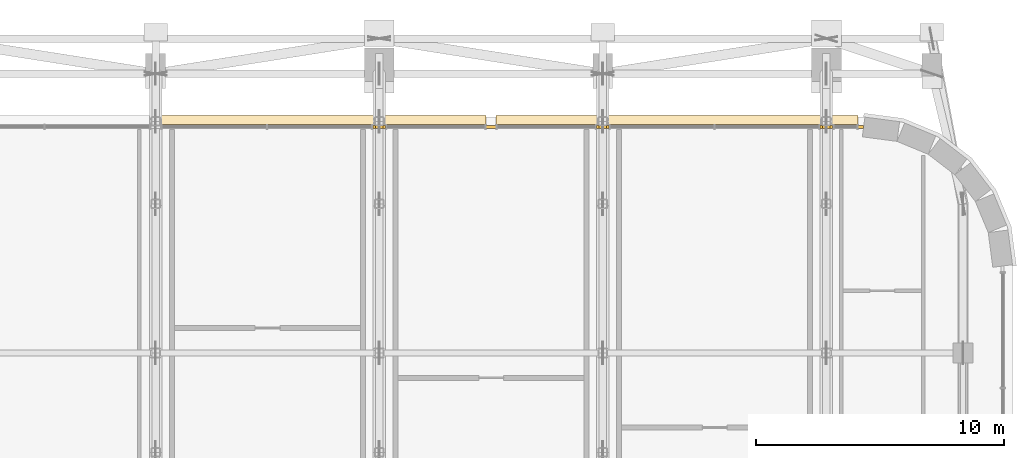
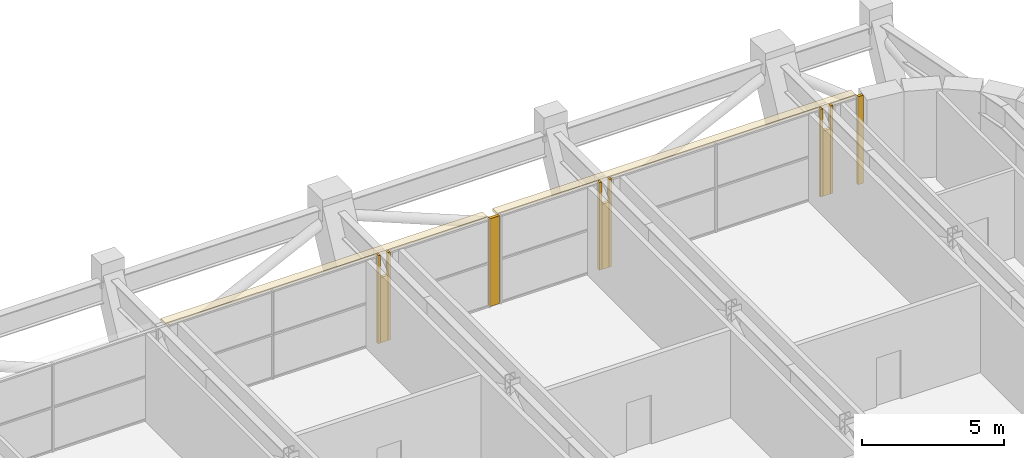
# One storey, part 27 of 28: 13 coverings.
"""IFC4 building model written with IfcOpenShell, lengths in metres."""

import ifcopenshell
import ifcopenshell.guid

model = None  # the IFC model being written
_history = None  # IfcOwnerHistory: only IFC2X3 demands one
_inside = {}  # id of a spatial element -> (the spatial element, [elements in it])
_under = {}  # id of a project, library or spatial element -> (it, [spatial elements below it])
_declared = {}  # id of a project -> (the project, [libraries it declares])
_typed = {}  # id of a type object -> (the type object, [elements of that type])
_made_of = {}  # id of a material, layer set ... -> (it, [elements and type objects made of it])


def new_model(schema):
    """Start an empty IFC model of exactly this schema.

    Asked for "IFC4X3", IfcOpenShell would pick the latest addendum, in which some entities
    have other attributes; the version numbers below select the first issue.
    IFC2X3 requires an IfcOwnerHistory on every rooted entity: one is made here for all.
    """
    global model, _history
    if schema == "IFC4X3":
        model = ifcopenshell.file(schema_version=(4, 3, 0, 0))
    else:
        model = ifcopenshell.file(schema=schema)
    _inside.clear()
    _under.clear()
    _declared.clear()
    _typed.clear()
    _made_of.clear()
    _history = None
    if model.schema == "IFC2X3":
        org = make("IfcOrganization", Name="unknown")
        user = make(
            "IfcPersonAndOrganization",
            ThePerson=make("IfcPerson", FamilyName="unknown"),
            TheOrganization=org,
        )
        app = make(
            "IfcApplication",
            ApplicationDeveloper=org,
            Version="unknown",
            ApplicationFullName="unknown",
            ApplicationIdentifier="unknown",
        )
        _history = make(
            "IfcOwnerHistory",
            OwningUser=user,
            OwningApplication=app,
            ChangeAction="ADDED",
            CreationDate=0,
        )
    return model


def make(cls, **values):
    """One entity of the class cls with the attributes given. An attribute that is None is left unset."""
    return model.create_entity(
        cls, **{name: value for name, value in values.items() if value is not None}
    )


def rooted(cls, **values):
    """An entity with a GlobalId (a new one), such as an element, a storey or a relation."""
    return make(cls, GlobalId=ifcopenshell.guid.new(), OwnerHistory=_history, **values)


def si_unit(unit_type, name, prefix=None):
    """IfcSIUnit, for example si_unit("LENGTHUNIT", "METRE", prefix="MILLI")."""
    return make("IfcSIUnit", UnitType=unit_type, Prefix=prefix, Name=name)


def assignment(units):
    """IfcUnitAssignment: the units of a project."""
    return None if units is None else make("IfcUnitAssignment", Units=units)


def point(xyz):
    """IfcCartesianPoint."""
    return None if xyz is None else make("IfcCartesianPoint", Coordinates=xyz)


def direction(xyz):
    """IfcDirection."""
    return None if xyz is None else make("IfcDirection", DirectionRatios=xyz)


def frame(location, z_axis=None, x_axis=None):
    """IfcAxis2Placement3D, a coordinate frame: its origin and axes. An axis left out is left unset."""
    return make(
        "IfcAxis2Placement3D",
        Location=point(location),
        Axis=direction(z_axis),
        RefDirection=direction(x_axis),
    )


def frame_2d(location, x_axis=None):
    """IfcAxis2Placement2D, a coordinate frame in the plane: its origin and x axis."""
    return make(
        "IfcAxis2Placement2D", Location=point(location), RefDirection=direction(x_axis)
    )


def origin():
    """The frame at (0, 0, 0) with its axes left unset."""
    return frame((0.0, 0.0, 0.0))


def origin_2d():
    """The frame at (0, 0) in the plane with its x axis left unset."""
    return frame_2d((0.0, 0.0))


def place(relative_to, where):
    """IfcLocalPlacement: puts the frame where relative to a parent placement (None: the world)."""
    return make(
        "IfcLocalPlacement", PlacementRelTo=relative_to, RelativePlacement=where
    )


def context(
    kind, dimensions, precision=None, world=None, true_north=None, identifier=None
):
    """IfcGeometricRepresentationContext, for example the 3D "Model" context."""
    return make(
        "IfcGeometricRepresentationContext",
        ContextIdentifier=identifier,
        ContextType=kind,
        CoordinateSpaceDimension=dimensions,
        Precision=precision,
        WorldCoordinateSystem=world,
        TrueNorth=true_north,
    )


def subcontext(parent, identifier, kind, view, scale=None):
    """IfcGeometricRepresentationSubContext, for example "Body" below "Model"."""
    return make(
        "IfcGeometricRepresentationSubContext",
        ContextIdentifier=identifier,
        ContextType=kind,
        ParentContext=parent,
        TargetScale=scale,
        TargetView=view,
    )


def project(units=None, contexts=None):
    """IfcProject with its units and contexts."""
    return rooted(
        "IfcProject",
        Name="project",
        RepresentationContexts=contexts,
        UnitsInContext=assignment(units),
    )


def spatial(cls, under=None, at=None, **own):
    """A site, building, storey or space (cls), placed at a placement, below another one or the project."""
    s = rooted(cls, ObjectPlacement=at, **own)
    if under is not None:
        _under.setdefault(under.id(), (under, []))[1].append(s)
    return s


def polyline(points):
    """IfcPolyline through the points."""
    return make("IfcPolyline", Points=[point(p) for p in points])


def profile(cls, at=None, kind="AREA", **sizes):
    """A parametric profile (cls). Its sizes go by their IFC names, for example OverallWidth=200.0."""
    return make(cls, ProfileType=kind, Position=at, **sizes)


def rectangle(**sizes):
    """IfcRectangleProfileDef."""
    return profile("IfcRectangleProfileDef", **sizes)


def outline(outer, holes=None, kind="AREA"):
    """IfcArbitraryClosedProfileDef: a profile drawn as a closed curve; with holes, ...WithVoids."""
    if holes is None:
        return make("IfcArbitraryClosedProfileDef", ProfileType=kind, OuterCurve=outer)
    return make(
        "IfcArbitraryProfileDefWithVoids",
        ProfileType=kind,
        OuterCurve=outer,
        InnerCurves=holes,
    )


def extrude(swept, where, along, depth):
    """IfcExtrudedAreaSolid: the profile swept, set in the frame where, extruded along a direction by depth."""
    return make(
        "IfcExtrudedAreaSolid",
        SweptArea=swept,
        Position=where,
        ExtrudedDirection=direction(along),
        Depth=depth,
    )


def shape(context_of_items, identifier, shape_type, items):
    """IfcShapeRepresentation: the items that make up one representation, for example the "Body"."""
    return make(
        "IfcShapeRepresentation",
        ContextOfItems=context_of_items,
        RepresentationIdentifier=identifier,
        RepresentationType=shape_type,
        Items=items,
    )


def material(Name=None, Category=None):
    """IfcMaterial."""
    return make("IfcMaterial", Name=Name, Category=Category)


def layer(
    of_material, thickness, ventilated=None, Name=None, Category=None, Priority=None
):
    """IfcMaterialLayer: one layer of a wall or slab, of a material (None: an air gap)."""
    return make(
        "IfcMaterialLayer",
        Material=of_material,
        LayerThickness=thickness,
        IsVentilated=ventilated,
        Name=Name,
        Category=Category,
        Priority=Priority,
    )


def layer_set(layers, Name=None):
    """IfcMaterialLayerSet."""
    return make("IfcMaterialLayerSet", MaterialLayers=layers, LayerSetName=Name)


def made_of(thing, what):
    """Note that an element or type object is made of a material, layer set ...; save() writes the relation."""
    if what is not None:
        _made_of.setdefault(what.id(), (what, []))[1].append(thing)
    return thing


def type_object(cls, material=None, **own):
    """A type object (cls), such as IfcWallType, which elements share."""
    return made_of(rooted(cls, **own), material)


def element(
    cls,
    number,
    at=None,
    inside=None,
    cuts=None,
    type_object=None,
    material=None,
    context=None,
    identifier="Body",
    shape_type=None,
    held_by="IfcProductDefinitionShape",
    body=None,
    shapes=None,
    **own,
):
    """One element of the class cls, such as IfcWall. Its Tag is "e" and its number.

    at: its placement. inside: the storey or other place that contains it. cuts: it is an
    opening in that element (IfcRelVoidsElement). A single representation is given by context,
    identifier, shape_type and body (its items); several are given by shapes. held_by: the class
    of the entity that holds the representations. save() writes the other relations.
    """
    e = rooted(cls, Tag="e%d" % number, ObjectPlacement=at, **own)
    if body is not None:
        shapes = [shape(context, identifier, shape_type, body)]
    if shapes is not None:
        e.Representation = make(held_by, Representations=shapes)
    if inside is not None:
        _inside.setdefault(inside.id(), (inside, []))[1].append(e)
    if cuts is not None:
        rooted(
            "IfcRelVoidsElement", RelatingBuildingElement=cuts, RelatedOpeningElement=e
        )
    if type_object is not None:
        _typed.setdefault(type_object.id(), (type_object, []))[1].append(e)
    return made_of(e, material)


def aggregate(whole, parts):
    """IfcRelAggregates: a whole, such as a stair, and the parts it consists of."""
    return rooted("IfcRelAggregates", RelatingObject=whole, RelatedObjects=parts)


def save(model, path):
    """Write the relations noted so far, then the file.

    IfcRelAggregates (storeys below a building ...), IfcRelContainedInSpatialStructure (elements
    in a storey), IfcRelDefinesByType, IfcRelAssociatesMaterial and IfcRelDeclares: one each for
    every whole, place, type object, material and project.
    """
    for whole, parts in _under.values():
        aggregate(whole, parts)
    for where, things in _inside.values():
        rooted(
            "IfcRelContainedInSpatialStructure",
            RelatedElements=things,
            RelatingStructure=where,
        )
    for kind, things in _typed.values():
        rooted("IfcRelDefinesByType", RelatedObjects=things, RelatingType=kind)
    for what, things in _made_of.values():
        rooted("IfcRelAssociatesMaterial", RelatedObjects=things, RelatingMaterial=what)
    for by, libraries in _declared.values():
        rooted("IfcRelDeclares", RelatingContext=by, RelatedDefinitions=libraries)
    model.write(path)


model = new_model("IFC4")

# Units and contexts
model_context = context("Model", 3, precision=1e-05, world=origin(), true_north=direction((0.0, 1.0)))
body_context = subcontext(model_context, "Body", "Model", "MODEL_VIEW")
ifc_project = project(units=[si_unit("LENGTHUNIT", "METRE"), si_unit("AREAUNIT", "SQUARE_METRE"), si_unit("VOLUMEUNIT", "CUBIC_METRE"), si_unit("PLANEANGLEUNIT", "RADIAN"), si_unit("MASSUNIT", "GRAM", prefix="KILO")], contexts=[model_context])

# Site, building, storey
site_placement = place(None, origin())
site = spatial("IfcSite", under=ifc_project, at=site_placement, CompositionType="ELEMENT")
building_placement = place(site_placement, origin())
building = spatial("IfcBuilding", under=site, at=building_placement, Name="Zellij Exchange Tower", CompositionType="ELEMENT")
storey_placement = place(building_placement, frame((0.0, 0.0, 268.5)))
storey = spatial("IfcBuildingStorey", under=building, at=storey_placement, Name="L63", CompositionType="ELEMENT", Elevation=268.5)

# Coverings
ifc_material_1 = material(Name="Limestone cladding", Category="masonry")
ifc_layer_1 = layer(ifc_material_1, 0.1201171875)
ifc_layer_set_1 = layer_set([ifc_layer_1], Name="Limestone cladding")
covering_type_1 = type_object("IfcCoveringType", Name="ENV-CV18 Glazing closer 120", PredefinedType="CLADDING", material=ifc_layer_set_1)
covering_1_placement = place(storey_placement, frame((13.5, 31.10009765625, 0.0), z_axis=(0.0, 0.0, 1.0), x_axis=(-1.0, 0.0, 0.0)))
element("IfcCovering", 1, at=covering_1_placement, inside=storey, type_object=covering_type_1, Name="Glazing closer", PredefinedType="CLADDING", context=body_context, shape_type="SweptSolid", body=[
    extrude(rectangle(XDim=0.39990234375, YDim=0.1201171875, at=origin_2d()), origin(), (0.0, 0.0, 1.0), 3.780029296875),
])
for number, where, z_axis, x_axis, name in (
    (2, (27.0, 31.10009765625, 0.0), (0.0, 0.0, 1.0), (-1.0, 0.0, 0.0), "Glazing closer"),
    (3, (18.0, 31.10009765625, 0.0), (0.0, 0.0, 1.0), (-1.0, 0.0, 0.0), "Glazing closer"),
    (4, (9.0, 31.10009765625, 0.0), (0.0, 0.0, 1.0), (-1.0, 0.0, 0.0), "Glazing closer"),
):
    element("IfcCovering", number, at=place(storey_placement, frame(where, z_axis=z_axis, x_axis=x_axis)), inside=storey, type_object=covering_type_1, Name=name, PredefinedType="CLADDING", context=body_context, shape_type="SweptSolid", body=[
        extrude(rectangle(XDim=0.2998046875, YDim=0.1201171875, at=origin_2d()), origin(), (0.0, 0.0, 1.0), 2.8046875),
    ])
covering_2_placement = place(storey_placement, frame((28.383056640625, 31.10009765625, 0.0), z_axis=(0.0, 0.0, 1.0), x_axis=(1.0, 0.0, 0.0)))
element("IfcCovering", 5, at=covering_2_placement, inside=storey, type_object=covering_type_1, Name="Glazing closer", PredefinedType="CLADDING", context=body_context, shape_type="SweptSolid", body=[
    extrude(rectangle(XDim=0.218505859375, YDim=0.1201171875, at=origin_2d()), origin(), (0.0, 0.0, 1.0), 3.780029296875),
])
for number, where, z_axis, x_axis, name in (
    (6, (9.199951171875, 31.10009765625, 0.0), (0.0, 0.0, 1.0), (-1.0, 0.0, 0.0), "Glazing closer"),
    (7, (8.800048828125, 31.10009765625, 0.0), (0.0, 0.0, 1.0), (-1.0, 0.0, 0.0), "Glazing closer"),
    (8, (27.199951171875, 31.10009765625, 0.0), (0.0, 0.0, 1.0), (-1.0, 0.0, 0.0), "Glazing closer"),
    (9, (26.800048828125, 31.10009765625, 0.0), (0.0, 0.0, 1.0), (-1.0, 0.0, 0.0), "Glazing closer"),
    (10, (18.199951171875, 31.10009765625, 0.0), (0.0, 0.0, 1.0), (-1.0, 0.0, 0.0), "Glazing closer"),
    (11, (17.800048828125, 31.10009765625, 0.0), (0.0, 0.0, 1.0), (-1.0, 0.0, 0.0), "Glazing closer"),
):
    element("IfcCovering", number, at=place(storey_placement, frame(where, z_axis=z_axis, x_axis=x_axis)), inside=storey, type_object=covering_type_1, Name=name, PredefinedType="CLADDING", context=body_context, shape_type="SweptSolid", body=[
        extrude(rectangle(XDim=0.10009765625, YDim=0.1201171875, at=origin_2d()), origin(), (0.0, 0.0, 1.0), 3.780029296875),
    ])
ifc_material_2 = material(Name="Limestone sunshade", Category="masonry")
ifc_layer_2 = layer(ifc_material_2, 0.1201171875)
ifc_layer_set_2 = layer_set([ifc_layer_2], Name="Limestone sunshade")
covering_type_2 = type_object("IfcCoveringType", Name="ENV-SC2 Stone sunshade 120", PredefinedType="USERDEFINED", material=ifc_layer_set_2)
covering_3_placement = place(storey_placement, frame((0.0, 0.0, 3.659912109375)))
element("IfcCovering", 12, at=covering_3_placement, inside=storey, type_object=covering_type_2, Name="Stone sunshade", ObjectType="SUNSHADE", PredefinedType="USERDEFINED", context=body_context, shape_type="SweptSolid", body=[
    extrude(outline(polyline([(28.273681640625, 31.199951171875), (13.699951171875, 31.199951171875), (13.699951171875, 31.550048828125), (28.273681640625, 31.550048828125), (28.273681640625, 31.199951171875)])), origin(), (0.0, 0.0, 1.0), 0.1201171875),
])
covering_4_placement = place(storey_placement, frame((0.0, 0.0, 3.659912109375)))
element("IfcCovering", 13, at=covering_4_placement, inside=storey, type_object=covering_type_2, Name="Stone sunshade", ObjectType="SUNSHADE", PredefinedType="USERDEFINED", context=body_context, shape_type="SweptSolid", body=[
    extrude(outline(polyline([(13.300048828125, 31.199951171875), (0.199951171875, 31.199951171875), (0.199951171875, 31.550048828125), (13.300048828125, 31.550048828125), (13.300048828125, 31.199951171875)])), origin(), (0.0, 0.0, 1.0), 0.1201171875),
])

save(model, "model.ifc")
